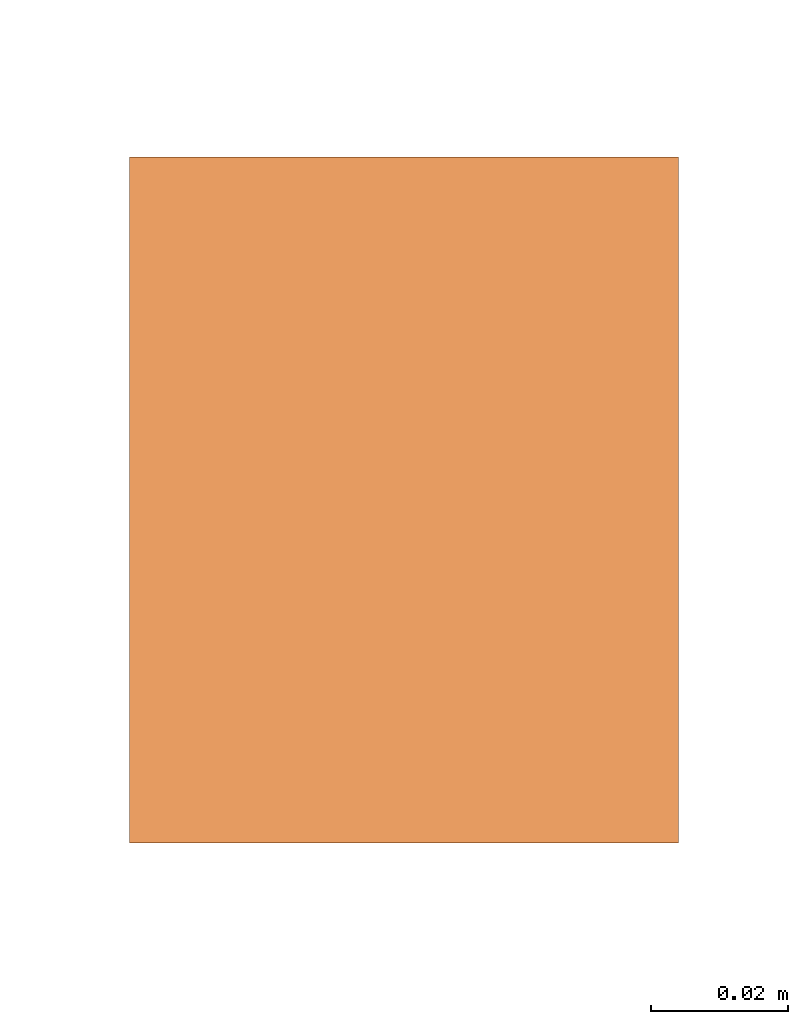
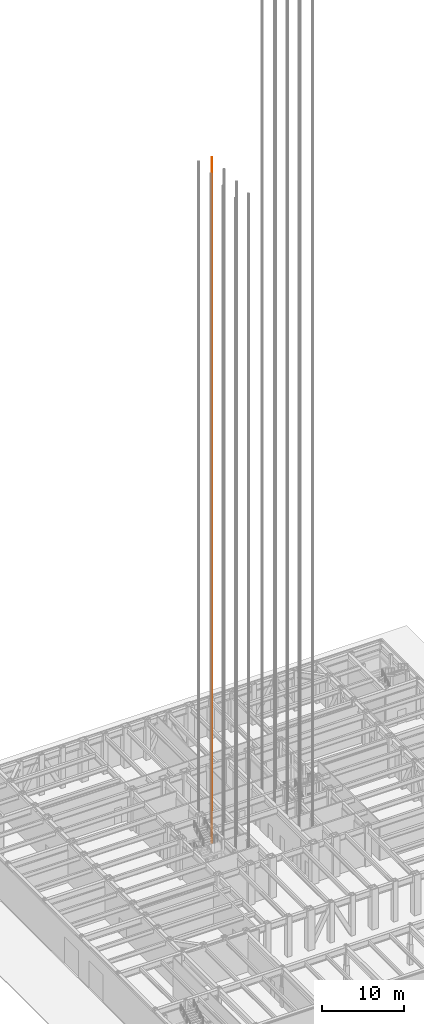
# One storey, part 27 of 35: 1 proxy.
"""IFC4 building model written with IfcOpenShell, lengths in metres."""

from ifc_helpers import new_model, si_unit, direction, frame, origin, origin_2d, place, context, subcontext, project, spatial, rectangle, extrude, material, type_object, element, save


model = new_model("IFC4")

# Units and contexts
model_context = context("Model", 3, precision=1e-05, world=origin(), true_north=direction((0.0, 1.0)))
body_context = subcontext(model_context, "Body", "Model", "MODEL_VIEW")
ifc_project = project(units=[si_unit("LENGTHUNIT", "METRE"), si_unit("AREAUNIT", "SQUARE_METRE"), si_unit("VOLUMEUNIT", "CUBIC_METRE"), si_unit("PLANEANGLEUNIT", "RADIAN"), si_unit("MASSUNIT", "GRAM", prefix="KILO")], contexts=[model_context])

# Site, building, storey
site_placement = place(None, origin())
site = spatial("IfcSite", under=ifc_project, at=site_placement, CompositionType="ELEMENT")
building_placement = place(site_placement, origin())
building = spatial("IfcBuilding", under=site, at=building_placement, Name="Chuquiago Exchange Tower", CompositionType="ELEMENT")
storey_placement = place(building_placement, origin())
storey = spatial("IfcBuildingStorey", under=building, at=storey_placement, Name="L00", CompositionType="ELEMENT", Elevation=0.0)

# Proxy
ifc_material = material(Name="Galvanised steel guide rail", Category="steel")
building_element_proxy_type = type_object("IfcBuildingElementProxyType", Name="LR lift guide rail", PredefinedType="NOTDEFINED", material=ifc_material)
proxy_placement = place(storey_placement, frame((18.93505859375, 25.5, 0.0), z_axis=(0.0, 0.0, 1.0), x_axis=(1.0, 0.0, 0.0)))
element("IfcBuildingElementProxy", 1, at=proxy_placement, inside=storey, type_object=building_element_proxy_type, Name="Lift LA4 guide rail E", PredefinedType="NOTDEFINED", context=body_context, shape_type="SweptSolid", body=[
    extrude(rectangle(XDim=0.080078125, YDim=0.10009765625, at=origin_2d()), origin(), (0.0, 0.0, 1.0), 102.300048828125),
])

save(model, "model.ifc")
